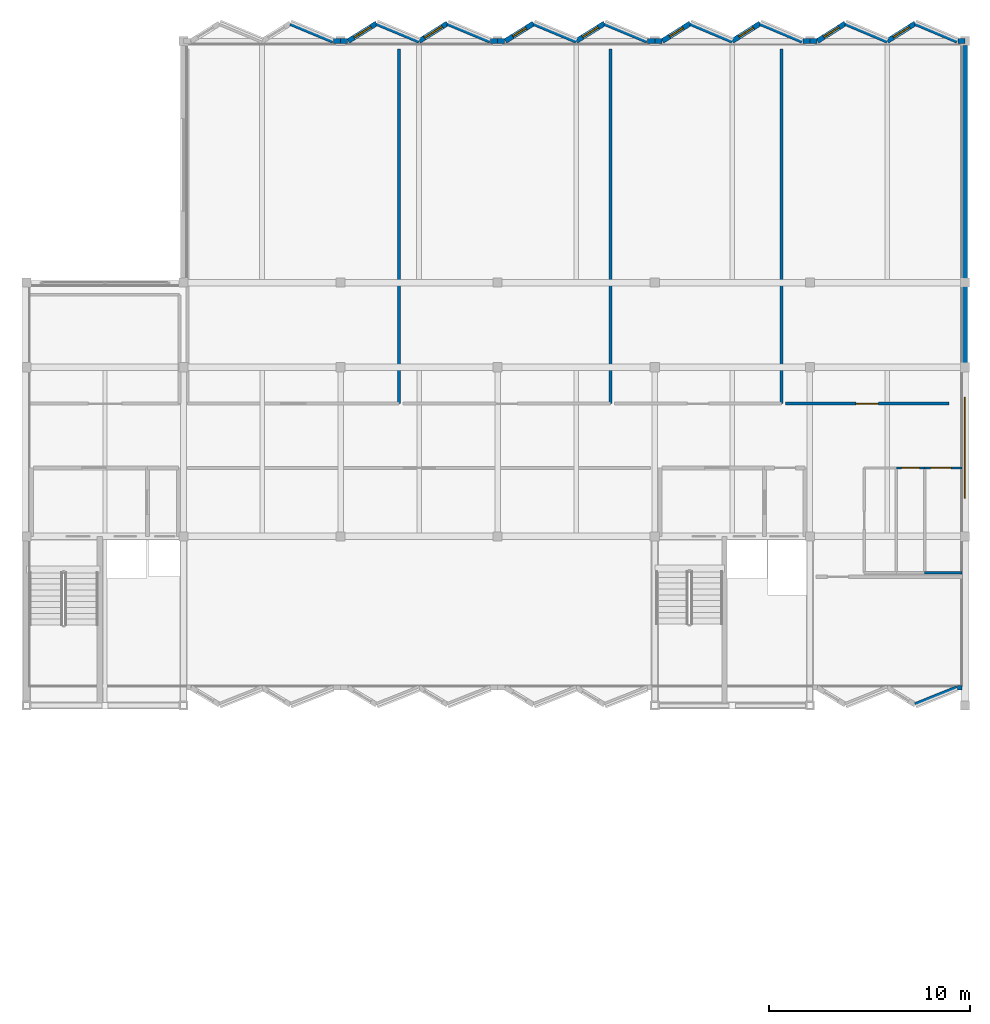
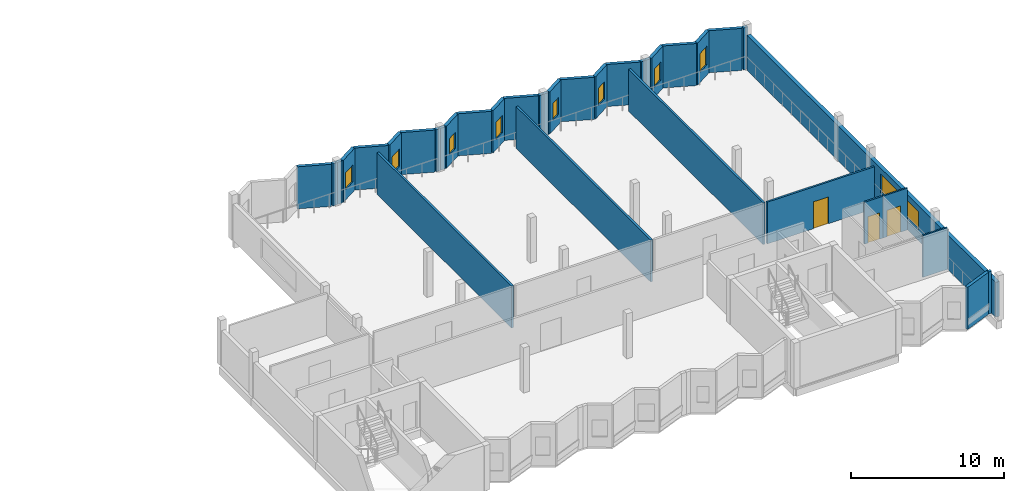
# One storey, part 18 of 25: 36 walls, 9 windows, 3 doors, 12 openings.
"""IFC4 building model written with IfcOpenShell, lengths in metres."""

from ifc_helpers import new_model, si_unit, direction, frame, frame_2d, origin, place, context, subcontext, project, spatial, rectangle, extrude, material, layer, layer_set, type_object, element, fill, save


model = new_model("IFC4")

# Units and contexts
model_context = context("Model", 3, precision=1e-05, world=origin(), true_north=direction((0.0, 1.0)))
body_context = subcontext(model_context, "Body", "Model", "MODEL_VIEW")
ifc_project = project(units=[si_unit("LENGTHUNIT", "METRE"), si_unit("AREAUNIT", "SQUARE_METRE"), si_unit("VOLUMEUNIT", "CUBIC_METRE"), si_unit("PLANEANGLEUNIT", "RADIAN"), si_unit("MASSUNIT", "GRAM", prefix="KILO")], contexts=[model_context])

# Site, building, storey
site_placement = place(None, origin())
site = spatial("IfcSite", under=ifc_project, at=site_placement, CompositionType="ELEMENT")
building_placement = place(site_placement, origin())
building = spatial("IfcBuilding", under=site, at=building_placement, Name="Vharandega Faculty of Natural Sciences", CompositionType="ELEMENT")
storey_placement = place(building_placement, frame((0.0, 0.0, 25.199951171875)))
storey = spatial("IfcBuildingStorey", under=building, at=storey_placement, Name="L06", CompositionType="ELEMENT", Elevation=25.199951171875)

# Walls
ifc_material_1 = material(Name="Gypsum fire-board on steel stud", Category="steel")
ifc_layer_1 = layer(ifc_material_1, 0.159912109375, Name="Gypsum fire-board on steel stud")
ifc_layer_set_1 = layer_set([ifc_layer_1], Name="Gypsum fire-board on steel stud")
wall_type_1 = type_object("IfcWallType", Name="Laboratory Fire Corridor Wall 160", PredefinedType="PARTITIONING", material=ifc_layer_set_1)
for number, where, z_axis, x_axis, name in (
    (1, (133.300048828125, 79.0, 0.0), (0.0, 0.0, 1.0), (0.0, 1.0, 0.0), "Interior Wall PW-L06-R12E"),
    (2, (143.800048828125, 79.0, 0.0), (0.0, 0.0, 1.0), (0.0, 1.0, 0.0), "Interior Wall PW-L06-R13E"),
    (3, (152.300048828125, 79.0, 0.0), (0.0, 0.0, 1.0), (0.0, 1.0, 0.0), "Interior Wall PW-L06-R14E"),
):
    element("IfcWall", number, at=place(storey_placement, frame(where, z_axis=z_axis, x_axis=x_axis)), inside=storey, type_object=wall_type_1, Name=name, PredefinedType="PARTITIONING", context=body_context, shape_type="SweptSolid", body=[
        extrude(rectangle(XDim=17.60009765625, YDim=0.159912109375, at=frame_2d((8.800048828125, 0.0))), origin(), (0.0, 0.0, 1.0), 3.340087890625),
    ])

# Wall, opening, door
ifc_material_2 = material(Name="Gypsum acoustic partition", Category="gypsum")
ifc_layer_2 = layer(ifc_material_2, 0.139892578125, Name="Gypsum acoustic partition")
ifc_layer_set_2 = layer_set([ifc_layer_2], Name="Gypsum acoustic partition")
wall_type_2 = type_object("IfcWallType", Name="Room Partition Wall 140", PredefinedType="PARTITIONING", material=ifc_layer_set_2)
wall_1_placement = place(storey_placement, frame((152.5, 79.0, 0.0), z_axis=(0.0, 0.0, 1.0), x_axis=(1.0, 0.0, 0.0)))
wall_1 = element("IfcWall", 4, at=wall_1_placement, inside=storey, type_object=wall_type_2, Name="Interior Wall PW-L06-R15S", PredefinedType="PARTITIONING", context=body_context, shape_type="SweptSolid", body=[
    extrude(rectangle(XDim=8.10009765625, YDim=0.139892578125, at=frame_2d((4.050048828125, 0.0))), origin(), (0.0, 0.0, 1.0), 3.340087890625),
])
opening_1_placement = place(wall_1_placement, frame((3.489990234375, 0.0, 0.0)))
opening_1 = element("IfcOpeningElement", 5, at=opening_1_placement, cuts=wall_1, Name="Opening D0336", PredefinedType="OPENING", context=body_context, shape_type="SweptSolid", body=[
    extrude(rectangle(XDim=1.1201171875, YDim=2.14990234375, at=frame_2d((0.56005859375, 1.074951171875))), frame((0.0, 0.080078125, 0.0), z_axis=(0.0, -1.0, 0.0), x_axis=(1.0, 0.0, 0.0)), (0.0, 0.0, 1.0), 0.159912109375),
])
ifc_material_3 = material(Name="Solid-core hardwood timber fire door", Category="wood")
door_type_1 = type_object("IfcDoorType", Name="ID12-STUDIO-1120x2150", OperationType="NOTDEFINED", PredefinedType="DOOR", material=ifc_material_3)
door_1_placement = place(opening_1_placement, origin())
door_1 = element("IfcDoor", 6, at=door_1_placement, inside=storey, type_object=door_type_1, Name="Research Write-Up Studio 6A Door D0336", OperationType="SINGLE_SWING_LEFT", OverallHeight=2.14990234375, OverallWidth=1.1201171875, PredefinedType="DOOR", context=body_context, shape_type="SweptSolid", body=[
    extrude(rectangle(XDim=1.1201171875, YDim=2.14990234375, at=frame_2d((0.56005859375, 1.074951171875))), frame((0.0, 0.02490234375, 0.0), z_axis=(0.0, -1.0, 0.0), x_axis=(1.0, 0.0, 0.0)), (0.0, 0.0, 1.0), 0.050048828125),
])
fill(opening_1, door_1)

ifc_material_4 = material(Name="Moisture-resistant gypsum partition", Category="gypsum")
ifc_layer_3 = layer(ifc_material_4, 0.1201171875, Name="Moisture-resistant gypsum partition")
ifc_layer_set_3 = layer_set([ifc_layer_3], Name="Moisture-resistant gypsum partition")
wall_type_3 = type_object("IfcWallType", Name="Sanitary Wet Wall 120", PredefinedType="PARTITIONING", material=ifc_layer_set_3)
wall_2_placement = place(storey_placement, frame((158.0, 75.800048828125, 0.0), z_axis=(0.0, 0.0, 1.0), x_axis=(1.0, 0.0, 0.0)))
wall_2 = element("IfcWall", 7, at=wall_2_placement, inside=storey, type_object=wall_type_3, Name="Interior Wall PW-L06-R09N", PredefinedType="PARTITIONING", context=body_context, shape_type="SweptSolid", body=[
    extrude(rectangle(XDim=1.39990234375, YDim=0.1201171875, at=frame_2d((0.699951171875, 0.0))), origin(), (0.0, 0.0, 1.0), 3.340087890625),
])
opening_2_placement = place(wall_2_placement, frame((0.260009765625, 0.0, 0.0)))
opening_2 = element("IfcOpeningElement", 8, at=opening_2_placement, cuts=wall_2, Name="Opening D0330", PredefinedType="OPENING", context=body_context, shape_type="SweptSolid", body=[
    extrude(rectangle(XDim=0.8798828125, YDim=2.10009765625, at=frame_2d((0.43994140625, 1.050048828125))), frame((0.0, 0.070068359375, 0.0), z_axis=(0.0, -1.0, 0.0), x_axis=(1.0, 0.0, 0.0)), (0.0, 0.0, 1.0), 0.14013671875),
])
ifc_material_5 = material(Name="Solid-core hardwood timber fire door", Category="wood")
door_type_2 = type_object("IfcDoorType", Name="ID06-WC-0880x2100", OperationType="NOTDEFINED", PredefinedType="DOOR", material=ifc_material_5)
door_2_placement = place(opening_2_placement, origin())
door_2 = element("IfcDoor", 9, at=door_2_placement, inside=storey, type_object=door_type_2, Name="L06 Female Washroom Door D0330", OperationType="SINGLE_SWING_LEFT", OverallHeight=2.10009765625, OverallWidth=0.8798828125, PredefinedType="DOOR", context=body_context, shape_type="SweptSolid", body=[
    extrude(rectangle(XDim=0.8798828125, YDim=2.10009765625, at=frame_2d((0.43994140625, 1.050048828125))), frame((0.0, 0.02490234375, 0.0), z_axis=(0.0, -1.0, 0.0), x_axis=(1.0, 0.0, 0.0)), (0.0, 0.0, 1.0), 0.050048828125),
])
fill(opening_2, door_2)

# Wall
wall_3_placement = place(storey_placement, frame((159.39990234375, 70.60009765625, 0.0), z_axis=(0.0, 0.0, 1.0), x_axis=(1.0, 0.0, 0.0)))
element("IfcWall", 10, at=wall_3_placement, inside=storey, type_object=wall_type_3, Name="Interior Wall PW-L06-R10S", PredefinedType="PARTITIONING", context=body_context, shape_type="SweptSolid", body=[
    extrude(rectangle(XDim=1.860107421875, YDim=0.1201171875, at=frame_2d((0.93017578125, 0.0))), origin(), (0.0, 0.0, 1.0), 3.340087890625),
])

# Wall, opening, door
wall_4_placement = place(storey_placement, frame((159.39990234375, 75.800048828125, 0.0), z_axis=(0.0, 0.0, 1.0), x_axis=(1.0, 0.0, 0.0)))
wall_4 = element("IfcWall", 11, at=wall_4_placement, inside=storey, type_object=wall_type_3, Name="Interior Wall PW-L06-R10N", PredefinedType="PARTITIONING", context=body_context, shape_type="SweptSolid", body=[
    extrude(rectangle(XDim=1.860107421875, YDim=0.1201171875, at=frame_2d((0.93017578125, 0.0))), origin(), (0.0, 0.0, 1.0), 3.340087890625),
])
opening_3_placement = place(wall_4_placement, frame((0.300048828125, 0.0, 0.0)))
opening_3 = element("IfcOpeningElement", 12, at=opening_3_placement, cuts=wall_4, Name="Opening D0331", PredefinedType="OPENING", context=body_context, shape_type="SweptSolid", body=[
    extrude(rectangle(XDim=1.02001953125, YDim=2.10009765625, at=frame_2d((0.510009765625, 1.050048828125))), frame((0.0, 0.070068359375, 0.0), z_axis=(0.0, -1.0, 0.0), x_axis=(1.0, 0.0, 0.0)), (0.0, 0.0, 1.0), 0.14013671875),
])
ifc_material_6 = material(Name="Solid-core hardwood timber fire door", Category="wood")
door_type_3 = type_object("IfcDoorType", Name="ID07-ACCWC-1020x2100", OperationType="NOTDEFINED", PredefinedType="DOOR", material=ifc_material_6)
door_3_placement = place(opening_3_placement, origin())
door_3 = element("IfcDoor", 13, at=door_3_placement, inside=storey, type_object=door_type_3, Name="L06 Accessible WC Door D0331", OperationType="SINGLE_SWING_RIGHT", OverallHeight=2.10009765625, OverallWidth=1.02001953125, PredefinedType="DOOR", context=body_context, shape_type="SweptSolid", body=[
    extrude(rectangle(XDim=1.02001953125, YDim=2.10009765625, at=frame_2d((0.510009765625, 1.050048828125))), frame((0.0, 0.02490234375, 0.0), z_axis=(0.0, -1.0, 0.0), x_axis=(1.0, 0.0, 0.0)), (0.0, 0.0, 1.0), 0.050048828125),
])
fill(opening_3, door_3)

# Wall, opening, window
ifc_material_7 = material(Name="Precast concrete C40/50", Category="concrete")
ifc_layer_4 = layer(ifc_material_7, 0.25, Name="Precast concrete C40/50")
ifc_layer_set_4 = layer_set([ifc_layer_4], Name="Precast concrete C40/50")
wall_type_4 = type_object("IfcWallType", Name="Sawtooth Glazed-Face Precast Wall 250", PredefinedType="SOLIDWALL", material=ifc_layer_set_4)
wall_5_placement = place(storey_placement, frame((130.780029296875, 97.0, 0.0), z_axis=(0.0, 0.0, 1.0), x_axis=(0.848023086369, 0.529959286158, 0.0)))
wall_5 = element("IfcWall", 14, at=wall_5_placement, inside=storey, type_object=wall_type_4, Name="Exterior Wall EW-SAW-L06-N03G", PredefinedType="SOLIDWALL", context=body_context, shape_type="SweptSolid", body=[
    extrude(rectangle(XDim=1.660400390625, YDim=0.25, at=frame_2d((0.830078125, 0.0))), origin(), (0.0, 0.0, 1.0), 3.360107421875),
])
opening_4_placement = place(wall_5_placement, frame((0.330078125, 0.0, 0.820068359375)))
opening_4 = element("IfcOpeningElement", 15, at=opening_4_placement, cuts=wall_5, Name="Opening WN-05", PredefinedType="OPENING", context=body_context, shape_type="SweptSolid", body=[
    extrude(rectangle(XDim=1.0, YDim=1.35009765625, at=frame_2d((0.5, 0.675048828125))), frame((0.0, 0.135009765625, 0.0), z_axis=(0.0, -1.0, 0.0), x_axis=(1.0, 0.0, 0.0)), (0.0, 0.0, 1.0), 0.27001953125),
])
ifc_material_8 = material(Name="Double-glazed solar-control glass in thermally broken aluminium frame", Category="aluminium")
window_type_1 = type_object("IfcWindowType", Name="WIN-SAW-100x135", PartitioningType="SINGLE_PANEL", PredefinedType="WINDOW", material=ifc_material_8)
window_1_placement = place(opening_4_placement, origin())
window_1 = element("IfcWindow", 16, at=window_1_placement, inside=storey, type_object=window_type_1, Name="Window WIN-L06-0031", OverallHeight=1.35009765625, OverallWidth=1.0, PartitioningType="SINGLE_PANEL", PredefinedType="WINDOW", context=body_context, shape_type="SweptSolid", body=[
    extrude(rectangle(XDim=1.0, YDim=1.35009765625, at=frame_2d((0.5, 0.675048828125))), frame((0.0, 0.030029296875, 0.0), z_axis=(0.0, -1.0, 0.0), x_axis=(1.0, 0.0, 0.0)), (0.0, 0.0, 1.0), 0.06005859375),
])
fill(opening_4, window_1)

wall_6_placement = place(storey_placement, frame((134.300048828125, 97.0, 0.0), z_axis=(0.0, 0.0, 1.0), x_axis=(0.848023086369, 0.529959286158, 0.0)))
wall_6 = element("IfcWall", 17, at=wall_6_placement, inside=storey, type_object=wall_type_4, Name="Exterior Wall EW-SAW-L06-N04G", PredefinedType="SOLIDWALL", context=body_context, shape_type="SweptSolid", body=[
    extrude(rectangle(XDim=1.660400390625, YDim=0.25, at=frame_2d((0.830078125, 0.0))), origin(), (0.0, 0.0, 1.0), 3.360107421875),
])
opening_5_placement = place(wall_6_placement, frame((0.30517578125, 0.0, 0.820068359375)))
opening_5 = element("IfcOpeningElement", 18, at=opening_5_placement, cuts=wall_6, Name="Opening WN-06", PredefinedType="OPENING", context=body_context, shape_type="SweptSolid", body=[
    extrude(rectangle(XDim=1.050048828125, YDim=1.39990234375, at=frame_2d((0.52490234375, 0.699951171875))), frame((0.0, 0.135009765625, 0.0), z_axis=(0.0, -1.0, 0.0), x_axis=(1.0, 0.0, 0.0)), (0.0, 0.0, 1.0), 0.27001953125),
])
ifc_material_9 = material(Name="Double-glazed solar-control glass in thermally broken aluminium frame", Category="aluminium")
window_type_2 = type_object("IfcWindowType", Name="WIN-SAW-105x140", PartitioningType="SINGLE_PANEL", PredefinedType="WINDOW", material=ifc_material_9)
window_2_placement = place(opening_5_placement, origin())
window_2 = element("IfcWindow", 19, at=window_2_placement, inside=storey, type_object=window_type_2, Name="Window WIN-L06-0032", OverallHeight=1.39990234375, OverallWidth=1.050048828125, PartitioningType="SINGLE_PANEL", PredefinedType="WINDOW", context=body_context, shape_type="SweptSolid", body=[
    extrude(rectangle(XDim=1.050048828125, YDim=1.39990234375, at=frame_2d((0.52490234375, 0.699951171875))), frame((0.0, 0.030029296875, 0.0), z_axis=(0.0, -1.0, 0.0), x_axis=(1.0, 0.0, 0.0)), (0.0, 0.0, 1.0), 0.06005859375),
])
fill(opening_5, window_2)

wall_7_placement = place(storey_placement, frame((138.580078125, 97.0, 0.0), z_axis=(0.0, 0.0, 1.0), x_axis=(0.848023086369, 0.529959286158, 0.0)))
wall_7 = element("IfcWall", 20, at=wall_7_placement, inside=storey, type_object=wall_type_4, Name="Exterior Wall EW-SAW-L06-N05G", PredefinedType="SOLIDWALL", context=body_context, shape_type="SweptSolid", body=[
    extrude(rectangle(XDim=1.660400390625, YDim=0.25, at=frame_2d((0.830078125, 0.0))), origin(), (0.0, 0.0, 1.0), 3.360107421875),
])
opening_6_placement = place(wall_7_placement, frame((0.440185546875, 0.0, 0.820068359375)))
opening_6 = element("IfcOpeningElement", 21, at=opening_6_placement, cuts=wall_7, Name="Opening WN-06A", PredefinedType="OPENING", context=body_context, shape_type="SweptSolid", body=[
    extrude(rectangle(XDim=0.780029296875, YDim=1.300048828125, at=frame_2d((0.39013671875, 0.64990234375))), frame((0.0, 0.135009765625, 0.0), z_axis=(0.0, -1.0, 0.0), x_axis=(1.0, 0.0, 0.0)), (0.0, 0.0, 1.0), 0.27001953125),
])
ifc_material_10 = material(Name="Double-glazed solar-control glass in thermally broken aluminium frame", Category="aluminium")
window_type_3 = type_object("IfcWindowType", Name="WIN-SAW-078x130", PartitioningType="SINGLE_PANEL", PredefinedType="WINDOW", material=ifc_material_10)
window_3_placement = place(opening_6_placement, origin())
window_3 = element("IfcWindow", 22, at=window_3_placement, inside=storey, type_object=window_type_3, Name="Window WIN-L06-0033", OverallHeight=1.300048828125, OverallWidth=0.780029296875, PartitioningType="SINGLE_PANEL", PredefinedType="WINDOW", context=body_context, shape_type="SweptSolid", body=[
    extrude(rectangle(XDim=0.780029296875, YDim=1.300048828125, at=frame_2d((0.39013671875, 0.64990234375))), frame((0.0, 0.030029296875, 0.0), z_axis=(0.0, -1.0, 0.0), x_axis=(1.0, 0.0, 0.0)), (0.0, 0.0, 1.0), 0.06005859375),
])
fill(opening_6, window_3)

wall_8_placement = place(storey_placement, frame((142.10009765625, 97.0, 0.0), z_axis=(0.0, 0.0, 1.0), x_axis=(0.848023086369, 0.529959286158, 0.0)))
wall_8 = element("IfcWall", 23, at=wall_8_placement, inside=storey, type_object=wall_type_4, Name="Exterior Wall EW-SAW-L06-N06G", PredefinedType="SOLIDWALL", context=body_context, shape_type="SweptSolid", body=[
    extrude(rectangle(XDim=1.660400390625, YDim=0.25, at=frame_2d((0.830078125, 0.0))), origin(), (0.0, 0.0, 1.0), 3.360107421875),
])
opening_7_placement = place(wall_8_placement, frame((0.3701171875, 0.0, 0.820068359375)))
opening_7 = element("IfcOpeningElement", 24, at=opening_7_placement, cuts=wall_8, Name="Opening WN-06B", PredefinedType="OPENING", context=body_context, shape_type="SweptSolid", body=[
    extrude(rectangle(XDim=0.919921875, YDim=1.3798828125, at=frame_2d((0.4599609375, 0.68994140625))), frame((0.0, 0.135009765625, 0.0), z_axis=(0.0, -1.0, 0.0), x_axis=(1.0, 0.0, 0.0)), (0.0, 0.0, 1.0), 0.27001953125),
])
ifc_material_11 = material(Name="Double-glazed solar-control glass in thermally broken aluminium frame", Category="aluminium")
window_type_4 = type_object("IfcWindowType", Name="WIN-SAW-092x138", PartitioningType="SINGLE_PANEL", PredefinedType="WINDOW", material=ifc_material_11)
window_4_placement = place(opening_7_placement, origin())
window_4 = element("IfcWindow", 25, at=window_4_placement, inside=storey, type_object=window_type_4, Name="Window WIN-L06-0034", OverallHeight=1.3798828125, OverallWidth=0.919921875, PartitioningType="SINGLE_PANEL", PredefinedType="WINDOW", context=body_context, shape_type="SweptSolid", body=[
    extrude(rectangle(XDim=0.919921875, YDim=1.3798828125, at=frame_2d((0.4599609375, 0.68994140625))), frame((0.0, 0.030029296875, 0.0), z_axis=(0.0, -1.0, 0.0), x_axis=(1.0, 0.0, 0.0)), (0.0, 0.0, 1.0), 0.06005859375),
])
fill(opening_7, window_4)

wall_9_placement = place(storey_placement, frame((146.3798828125, 97.0, 0.0), z_axis=(0.0, 0.0, 1.0), x_axis=(0.844626536799, 0.535355968805, 0.0)))
wall_9 = element("IfcWall", 26, at=wall_9_placement, inside=storey, type_object=wall_type_4, Name="Exterior Wall EW-SAW-L06-N07G", PredefinedType="SOLIDWALL", context=body_context, shape_type="SweptSolid", body=[
    extrude(rectangle(XDim=1.6435546875, YDim=0.25, at=frame_2d((0.82177734375, 0.0))), origin(), (0.0, 0.0, 1.0), 3.360107421875),
])
opening_8_placement = place(wall_9_placement, frame((0.421630859375, 0.0, 0.820068359375)))
opening_8 = element("IfcOpeningElement", 27, at=opening_8_placement, cuts=wall_9, Name="Opening WN-01", PredefinedType="OPENING", context=body_context, shape_type="SweptSolid", body=[
    extrude(rectangle(XDim=0.800048828125, YDim=1.35009765625, at=frame_2d((0.39990234375, 0.675048828125))), frame((0.0, 0.135009765625, 0.0), z_axis=(0.0, -1.0, 0.0), x_axis=(1.0, 0.0, 0.0)), (0.0, 0.0, 1.0), 0.27001953125),
])
ifc_material_12 = material(Name="Double-glazed solar-control glass in thermally broken aluminium frame", Category="aluminium")
window_type_5 = type_object("IfcWindowType", Name="WIN-SAW-080x135", PartitioningType="SINGLE_PANEL", PredefinedType="WINDOW", material=ifc_material_12)
window_5_placement = place(opening_8_placement, origin())
window_5 = element("IfcWindow", 28, at=window_5_placement, inside=storey, type_object=window_type_5, Name="Window WIN-L06-0035", OverallHeight=1.35009765625, OverallWidth=0.800048828125, PartitioningType="SINGLE_PANEL", PredefinedType="WINDOW", context=body_context, shape_type="SweptSolid", body=[
    extrude(rectangle(XDim=0.800048828125, YDim=1.35009765625, at=frame_2d((0.39990234375, 0.675048828125))), frame((0.0, 0.030029296875, 0.0), z_axis=(0.0, -1.0, 0.0), x_axis=(1.0, 0.0, 0.0)), (0.0, 0.0, 1.0), 0.06005859375),
])
fill(opening_8, window_5)

wall_10_placement = place(storey_placement, frame((149.85009765625, 97.0, 0.0), z_axis=(0.0, 0.0, 1.0), x_axis=(0.844583954912, 0.535423143976, 0.0)))
wall_10 = element("IfcWall", 29, at=wall_10_placement, inside=storey, type_object=wall_type_4, Name="Exterior Wall EW-SAW-L06-N08G", PredefinedType="SOLIDWALL", context=body_context, shape_type="SweptSolid", body=[
    extrude(rectangle(XDim=1.643310546875, YDim=0.25, at=frame_2d((0.82177734375, 0.0))), origin(), (0.0, 0.0, 1.0), 3.360107421875),
])
opening_9_placement = place(wall_10_placement, frame((0.396728515625, 0.0, 0.820068359375)))
opening_9 = element("IfcOpeningElement", 30, at=opening_9_placement, cuts=wall_10, Name="Opening WN-02", PredefinedType="OPENING", context=body_context, shape_type="SweptSolid", body=[
    extrude(rectangle(XDim=0.85009765625, YDim=1.39990234375, at=frame_2d((0.425048828125, 0.699951171875))), frame((0.0, 0.135009765625, 0.0), z_axis=(0.0, -1.0, 0.0), x_axis=(1.0, 0.0, 0.0)), (0.0, 0.0, 1.0), 0.27001953125),
])
ifc_material_13 = material(Name="Double-glazed solar-control glass in thermally broken aluminium frame", Category="aluminium")
window_type_6 = type_object("IfcWindowType", Name="WIN-SAW-085x140", PartitioningType="SINGLE_PANEL", PredefinedType="WINDOW", material=ifc_material_13)
window_6_placement = place(opening_9_placement, origin())
window_6 = element("IfcWindow", 31, at=window_6_placement, inside=storey, type_object=window_type_6, Name="Window WIN-L06-0036", OverallHeight=1.39990234375, OverallWidth=0.85009765625, PartitioningType="SINGLE_PANEL", PredefinedType="WINDOW", context=body_context, shape_type="SweptSolid", body=[
    extrude(rectangle(XDim=0.85009765625, YDim=1.39990234375, at=frame_2d((0.425048828125, 0.699951171875))), frame((0.0, 0.030029296875, 0.0), z_axis=(0.0, -1.0, 0.0), x_axis=(1.0, 0.0, 0.0)), (0.0, 0.0, 1.0), 0.06005859375),
])
fill(opening_9, window_6)

wall_11_placement = place(storey_placement, frame((154.080078125, 97.0, 0.0), z_axis=(0.0, 0.0, 1.0), x_axis=(0.844583954912, 0.535423143976, 0.0)))
wall_11 = element("IfcWall", 32, at=wall_11_placement, inside=storey, type_object=wall_type_4, Name="Exterior Wall EW-SAW-L06-N09G", PredefinedType="SOLIDWALL", context=body_context, shape_type="SweptSolid", body=[
    extrude(rectangle(XDim=1.643310546875, YDim=0.25, at=frame_2d((0.82177734375, 0.0))), origin(), (0.0, 0.0, 1.0), 3.360107421875),
])
opening_10_placement = place(wall_11_placement, frame((0.37158203125, 0.0, 0.820068359375)))
opening_10 = element("IfcOpeningElement", 33, at=opening_10_placement, cuts=wall_11, Name="Opening WN-03", PredefinedType="OPENING", context=body_context, shape_type="SweptSolid", body=[
    extrude(rectangle(XDim=0.89990234375, YDim=1.449951171875, at=frame_2d((0.449951171875, 0.72509765625))), frame((0.0, 0.135009765625, 0.0), z_axis=(0.0, -1.0, 0.0), x_axis=(1.0, 0.0, 0.0)), (0.0, 0.0, 1.0), 0.27001953125),
])
ifc_material_14 = material(Name="Double-glazed solar-control glass in thermally broken aluminium frame", Category="aluminium")
window_type_7 = type_object("IfcWindowType", Name="WIN-SAW-090x145", PartitioningType="SINGLE_PANEL", PredefinedType="WINDOW", material=ifc_material_14)
window_7_placement = place(opening_10_placement, origin())
window_7 = element("IfcWindow", 34, at=window_7_placement, inside=storey, type_object=window_type_7, Name="Window WIN-L06-0037", OverallHeight=1.449951171875, OverallWidth=0.89990234375, PartitioningType="SINGLE_PANEL", PredefinedType="WINDOW", context=body_context, shape_type="SweptSolid", body=[
    extrude(rectangle(XDim=0.89990234375, YDim=1.449951171875, at=frame_2d((0.449951171875, 0.72509765625))), frame((0.0, 0.030029296875, 0.0), z_axis=(0.0, -1.0, 0.0), x_axis=(1.0, 0.0, 0.0)), (0.0, 0.0, 1.0), 0.06005859375),
])
fill(opening_10, window_7)

wall_12_placement = place(storey_placement, frame((157.550048828125, 97.0, 0.0), z_axis=(0.0, 0.0, 1.0), x_axis=(0.844583954912, 0.535423143976, 0.0)))
wall_12 = element("IfcWall", 35, at=wall_12_placement, inside=storey, type_object=wall_type_4, Name="Exterior Wall EW-SAW-L06-N10G", PredefinedType="SOLIDWALL", context=body_context, shape_type="SweptSolid", body=[
    extrude(rectangle(XDim=1.643310546875, YDim=0.25, at=frame_2d((0.82177734375, 0.0))), origin(), (0.0, 0.0, 1.0), 3.360107421875),
])
opening_11_placement = place(wall_12_placement, frame((0.3466796875, 0.0, 0.820068359375)))
opening_11 = element("IfcOpeningElement", 36, at=opening_11_placement, cuts=wall_12, Name="Opening WN-04", PredefinedType="OPENING", context=body_context, shape_type="SweptSolid", body=[
    extrude(rectangle(XDim=0.949951171875, YDim=1.5, at=frame_2d((0.47509765625, 0.75))), frame((0.0, 0.135009765625, 0.0), z_axis=(0.0, -1.0, 0.0), x_axis=(1.0, 0.0, 0.0)), (0.0, 0.0, 1.0), 0.27001953125),
])
ifc_material_15 = material(Name="Double-glazed solar-control glass in thermally broken aluminium frame", Category="aluminium")
window_type_8 = type_object("IfcWindowType", Name="WIN-SAW-095x150", PartitioningType="SINGLE_PANEL", PredefinedType="WINDOW", material=ifc_material_15)
window_8_placement = place(opening_11_placement, origin())
window_8 = element("IfcWindow", 37, at=window_8_placement, inside=storey, type_object=window_type_8, Name="Window WIN-L06-0038", OverallHeight=1.5, OverallWidth=0.949951171875, PartitioningType="SINGLE_PANEL", PredefinedType="WINDOW", context=body_context, shape_type="SweptSolid", body=[
    extrude(rectangle(XDim=0.949951171875, YDim=1.5, at=frame_2d((0.47509765625, 0.75))), frame((0.0, 0.030029296875, 0.0), z_axis=(0.0, -1.0, 0.0), x_axis=(1.0, 0.0, 0.0)), (0.0, 0.0, 1.0), 0.06005859375),
])
fill(opening_11, window_8)

# Walls
ifc_material_16 = material(Name="Precast concrete C40/50", Category="concrete")
ifc_layer_5 = layer(ifc_material_16, 0.22998046875, Name="Precast concrete C40/50")
ifc_layer_set_5 = layer_set([ifc_layer_5], Name="Precast concrete C40/50")
wall_type_5 = type_object("IfcWallType", Name="Sawtooth Solid White Precast Wall 230", PredefinedType="SOLIDWALL", material=ifc_layer_set_5)
wall_13_placement = place(storey_placement, frame((130.050048828125, 97.0, 0.0), z_axis=(0.0, 0.0, 1.0), x_axis=(1.0, 0.0, 0.0)))
element("IfcWall", 38, at=wall_13_placement, inside=storey, type_object=wall_type_5, Name="Exterior Wall EW-SHL-L06-N17R", PredefinedType="SOLIDWALL", context=body_context, shape_type="SweptSolid", body=[
    extrude(rectangle(XDim=0.349853515625, YDim=0.22998046875, at=frame_2d((0.1748046875, 0.0))), origin(), (0.0, 0.0, 1.0), 3.360107421875),
])
wall_14_placement = place(storey_placement, frame((130.39990234375, 97.0, 0.0), z_axis=(0.0, 0.0, 1.0), x_axis=(1.0, 0.0, 0.0)))
element("IfcWall", 39, at=wall_14_placement, inside=storey, type_object=wall_type_5, Name="Exterior Wall EW-SHL-L06-N17L", PredefinedType="SOLIDWALL", context=body_context, shape_type="SweptSolid", body=[
    extrude(rectangle(XDim=0.35009765625, YDim=0.22998046875, at=frame_2d((0.175048828125, 0.0))), origin(), (0.0, 0.0, 1.0), 3.360107421875),
])
wall_15_placement = place(storey_placement, frame((137.85009765625, 97.0, 0.0), z_axis=(0.0, 0.0, 1.0), x_axis=(1.0, 0.0, 0.0)))
element("IfcWall", 40, at=wall_15_placement, inside=storey, type_object=wall_type_5, Name="Exterior Wall EW-SHL-L06-N18R", PredefinedType="SOLIDWALL", context=body_context, shape_type="SweptSolid", body=[
    extrude(rectangle(XDim=0.349853515625, YDim=0.22998046875, at=frame_2d((0.1748046875, 0.0))), origin(), (0.0, 0.0, 1.0), 3.360107421875),
])
for number, where, z_axis, x_axis, name in (
    (41, (138.199951171875, 97.0, 0.0), (0.0, 0.0, 1.0), (1.0, 0.0, 0.0), "Exterior Wall EW-SHL-L06-N18L"),
    (42, (145.64990234375, 97.0, 0.0), (0.0, 0.0, 1.0), (1.0, 0.0, 0.0), "Exterior Wall EW-SHL-L06-N19R"),
    (43, (146.0, 97.0, 0.0), (0.0, 0.0, 1.0), (1.0, 0.0, 0.0), "Exterior Wall EW-SHL-L06-N19L"),
):
    element("IfcWall", number, at=place(storey_placement, frame(where, z_axis=z_axis, x_axis=x_axis)), inside=storey, type_object=wall_type_5, Name=name, PredefinedType="SOLIDWALL", context=body_context, shape_type="SweptSolid", body=[
        extrude(rectangle(XDim=0.35009765625, YDim=0.22998046875, at=frame_2d((0.175048828125, 0.0))), origin(), (0.0, 0.0, 1.0), 3.360107421875),
    ])
wall_16_placement = place(storey_placement, frame((153.35009765625, 97.0, 0.0), z_axis=(0.0, 0.0, 1.0), x_axis=(1.0, 0.0, 0.0)))
element("IfcWall", 44, at=wall_16_placement, inside=storey, type_object=wall_type_5, Name="Exterior Wall EW-SHL-L06-N20R", PredefinedType="SOLIDWALL", context=body_context, shape_type="SweptSolid", body=[
    extrude(rectangle(XDim=0.349853515625, YDim=0.22998046875, at=frame_2d((0.1748046875, 0.0))), origin(), (0.0, 0.0, 1.0), 3.360107421875),
])
wall_17_placement = place(storey_placement, frame((153.699951171875, 97.0, 0.0), z_axis=(0.0, 0.0, 1.0), x_axis=(1.0, 0.0, 0.0)))
element("IfcWall", 45, at=wall_17_placement, inside=storey, type_object=wall_type_5, Name="Exterior Wall EW-SHL-L06-N20L", PredefinedType="SOLIDWALL", context=body_context, shape_type="SweptSolid", body=[
    extrude(rectangle(XDim=0.35009765625, YDim=0.22998046875, at=frame_2d((0.175048828125, 0.0))), origin(), (0.0, 0.0, 1.0), 3.360107421875),
])
wall_18_placement = place(storey_placement, frame((161.050048828125, 97.0, 0.0), z_axis=(0.0, 0.0, 1.0), x_axis=(1.0, 0.0, 0.0)))
element("IfcWall", 46, at=wall_18_placement, inside=storey, type_object=wall_type_5, Name="Exterior Wall EW-SHL-L06-N21R", PredefinedType="SOLIDWALL", context=body_context, shape_type="SweptSolid", body=[
    extrude(rectangle(XDim=0.349853515625, YDim=0.22998046875, at=frame_2d((0.1748046875, 0.0))), origin(), (0.0, 0.0, 1.0), 3.360107421875),
])
wall_19_placement = place(storey_placement, frame((161.264892578125, 64.8798828125, 0.0), z_axis=(0.0, 0.0, 1.0), x_axis=(-1.0, 0.0, 0.0)))
element("IfcWall", 47, at=wall_19_placement, inside=storey, type_object=wall_type_5, Name="Exterior Wall EW-SHL-L06-S2021FR", PredefinedType="SOLIDWALL", context=body_context, shape_type="SweptSolid", body=[
    extrude(rectangle(XDim=0.224853515625, YDim=0.22998046875, at=frame_2d((0.1123046875, 0.0))), origin(), (0.0, 0.0, 1.0), 3.360107421875),
])
for number, where, z_axis, x_axis, name in (
    (48, (127.907958984375, 97.8798828125, 0.0), (0.0, 0.0, 1.0), (0.92309902008, -0.384562347517, 0.0), "Exterior Wall EW-SAW-L06-N02S"),
    (49, (132.18798828125, 97.8798828125, 0.0), (0.0, 0.0, 1.0), (0.92309902008, -0.384562347517, 0.0), "Exterior Wall EW-SAW-L06-N03S"),
    (50, (135.7080078125, 97.8798828125, 0.0), (0.0, 0.0, 1.0), (0.92309902008, -0.384562347517, 0.0), "Exterior Wall EW-SAW-L06-N04S"),
    (51, (139.988037109375, 97.8798828125, 0.0), (0.0, 0.0, 1.0), (0.92309902008, -0.384562347517, 0.0), "Exterior Wall EW-SAW-L06-N05S"),
    (52, (143.508056640625, 97.8798828125, 0.0), (0.0, 0.0, 1.0), (0.92309902008, -0.384562347517, 0.0), "Exterior Wall EW-SAW-L06-N06S"),
):
    element("IfcWall", number, at=place(storey_placement, frame(where, z_axis=z_axis, x_axis=x_axis)), inside=storey, type_object=wall_type_5, Name=name, PredefinedType="SOLIDWALL", context=body_context, shape_type="SweptSolid", body=[
        extrude(rectangle(XDim=2.2880859375, YDim=0.22998046875, at=frame_2d((1.14404296875, 0.0))), origin(), (0.0, 0.0, 1.0), 3.360107421875),
    ])
for number, where, z_axis, x_axis, name in (
    (53, (147.76806640625, 97.8798828125, 0.0), (0.0, 0.0, 1.0), (0.921122216024, -0.389273506866, 0.0), "Exterior Wall EW-SAW-L06-N07S"),
    (54, (151.238037109375, 97.8798828125, 0.0), (0.0, 0.0, 1.0), (0.921122216024, -0.389273506866, 0.0), "Exterior Wall EW-SAW-L06-N08S"),
    (55, (155.468017578125, 97.8798828125, 0.0), (0.0, 0.0, 1.0), (0.921122216024, -0.389273506866, 0.0), "Exterior Wall EW-SAW-L06-N09S"),
    (56, (158.93798828125, 97.8798828125, 0.0), (0.0, 0.0, 1.0), (0.921122216024, -0.389273506866, 0.0), "Exterior Wall EW-SAW-L06-N10S"),
):
    element("IfcWall", number, at=place(storey_placement, frame(where, z_axis=z_axis, x_axis=x_axis)), inside=storey, type_object=wall_type_5, Name=name, PredefinedType="SOLIDWALL", context=body_context, shape_type="SweptSolid", body=[
        extrude(rectangle(XDim=2.26025390625, YDim=0.22998046875, at=frame_2d((1.130126953125, 0.0))), origin(), (0.0, 0.0, 1.0), 3.360107421875),
    ])
wall_20_placement = place(storey_placement, frame((161.02001953125, 64.8798828125, 0.0), z_axis=(0.0, 0.0, 1.0), x_axis=(-0.927392797001, -0.374089026933, 0.0)))
element("IfcWall", 57, at=wall_20_placement, inside=storey, type_object=wall_type_5, Name="Exterior Wall EW-SAW-L06-S08S", PredefinedType="SOLIDWALL", context=body_context, shape_type="SweptSolid", body=[
    extrude(rectangle(XDim=2.2451171875, YDim=0.22998046875, at=frame_2d((1.12255859375, 0.0))), origin(), (0.0, 0.0, 1.0), 3.360107421875),
])

# Wall, opening, window
ifc_material_17 = material(Name="Precast concrete C40/50", Category="concrete")
ifc_layer_6 = layer(ifc_material_17, 0.280029296875, Name="Precast concrete C40/50")
ifc_layer_set_6 = layer_set([ifc_layer_6], Name="Precast concrete C40/50")
wall_type_6 = type_object("IfcWallType", Name="White Precast End Wall 280", PredefinedType="SOLIDWALL", material=ifc_layer_set_6)
wall_21_placement = place(storey_placement, frame((161.39990234375, 96.777099609375, 0.0), z_axis=(0.0, 0.0, 1.0), x_axis=(0.0, -1.0, 0.0)))
wall_21 = element("IfcWall", 58, at=wall_21_placement, inside=storey, type_object=wall_type_6, Name="Exterior Wall EW-L06-V4E", PredefinedType="SOLIDWALL", context=body_context, shape_type="SweptSolid", body=[
    extrude(rectangle(XDim=32.55419921875, YDim=0.280029296875, at=frame_2d((16.277099609375, 0.0))), origin(), (0.0, 0.0, 1.0), 2.780029296875),
])
opening_12_placement = place(wall_21_placement, frame((17.47705078125, 0.0, 0.820068359375)))
opening_12 = element("IfcOpeningElement", 59, at=opening_12_placement, cuts=wall_21, Name="Opening WN-12", PredefinedType="OPENING", context=body_context, shape_type="SweptSolid", body=[
    extrude(rectangle(XDim=5.0, YDim=1.5, at=frame_2d((2.5, 0.75))), frame((0.0, 0.14990234375, 0.0), z_axis=(0.0, -1.0, 0.0), x_axis=(1.0, 0.0, 0.0)), (0.0, 0.0, 1.0), 0.300048828125),
])
ifc_material_18 = material(Name="Double-glazed solar-control glass in thermally broken aluminium frame", Category="aluminium")
window_type_9 = type_object("IfcWindowType", Name="WIN-MON-500x150", PartitioningType="DOUBLE_PANEL_VERTICAL", PredefinedType="WINDOW", material=ifc_material_18)
window_9_placement = place(opening_12_placement, origin())
window_9 = element("IfcWindow", 60, at=window_9_placement, inside=storey, type_object=window_type_9, Name="Window WIN-L06-0027", OverallHeight=1.5, OverallWidth=5.0, PartitioningType="SINGLE_PANEL", PredefinedType="WINDOW", context=body_context, shape_type="SweptSolid", body=[
    extrude(rectangle(XDim=5.0, YDim=1.5, at=frame_2d((2.5, 0.75))), frame((0.0, 0.030029296875, 0.0), z_axis=(0.0, -1.0, 0.0), x_axis=(1.0, 0.0, 0.0)), (0.0, 0.0, 1.0), 0.06005859375),
])
fill(opening_12, window_9)

save(model, "model.ifc")
